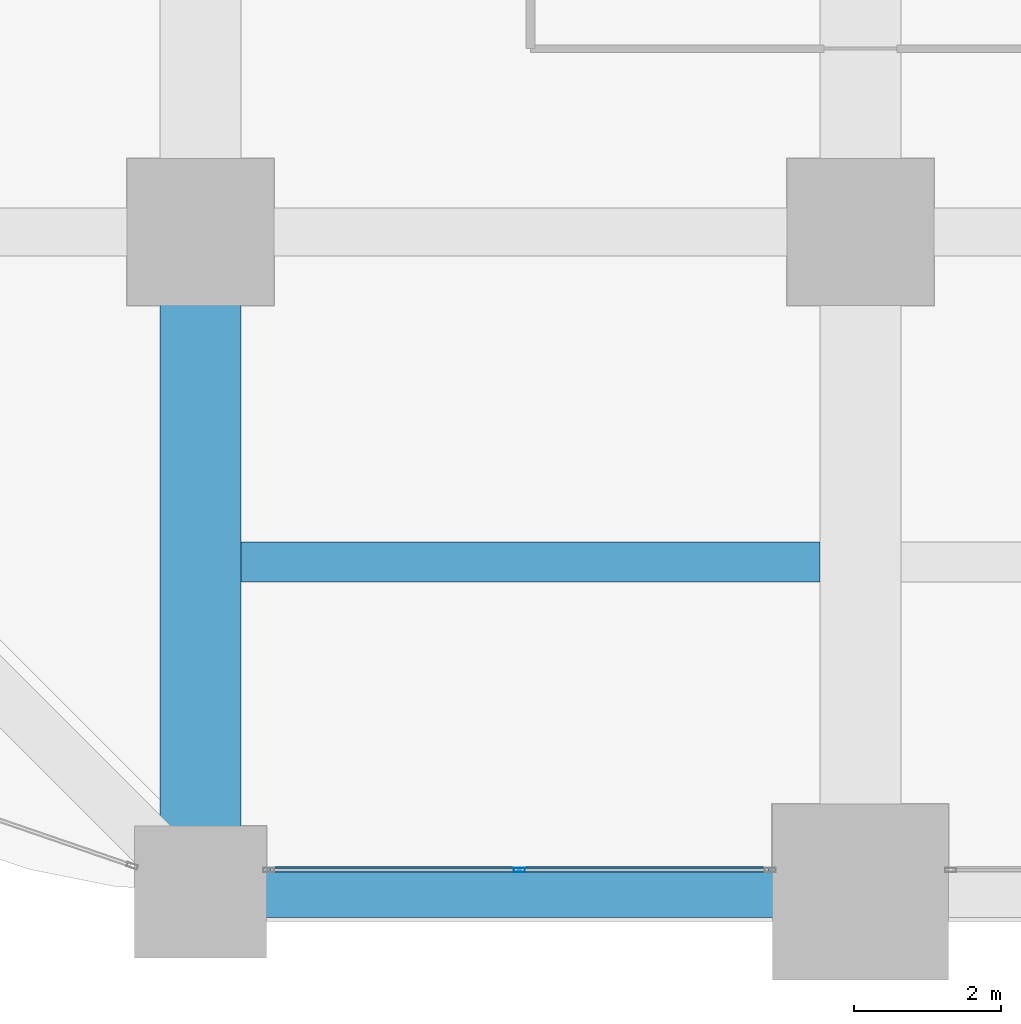
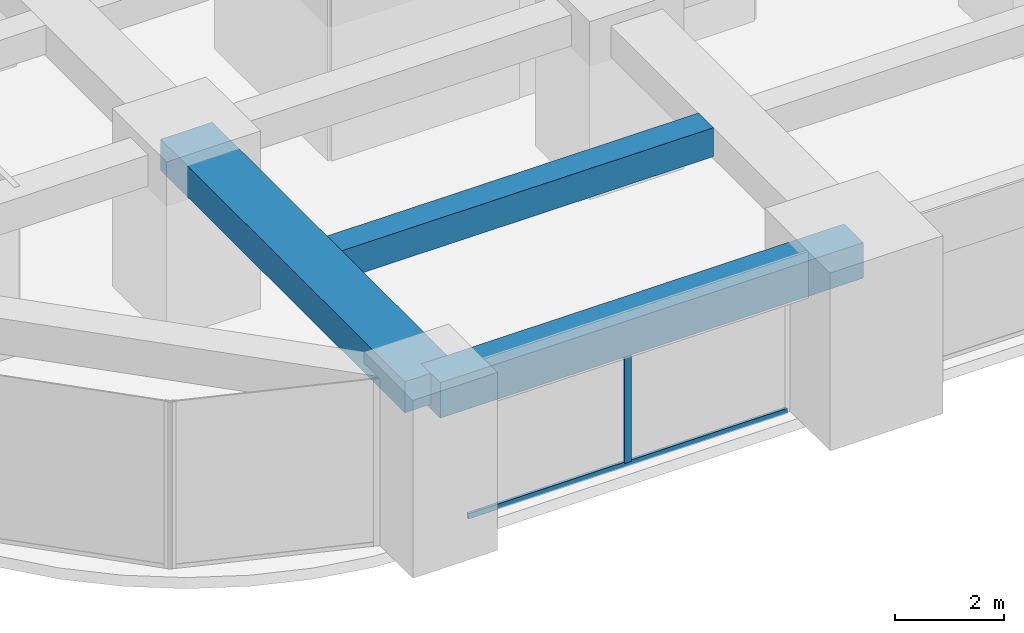
# One storey, part 3 of 41: 3 beams, 2 members, 1 element without a shape of its own.
"""IFC4 building model written with IfcOpenShell, lengths in metres."""

from ifc_helpers import new_model, si_unit, direction, frame, origin, origin_2d, place, context, subcontext, project, spatial, rectangle, hollow_rectangle, extrude, material, material_profile, profile_set, type_object, element, aggregate, save


model = new_model("IFC4")

# Units and contexts
model_context = context("Model", 3, precision=1e-05, world=origin(), true_north=direction((0.0, 1.0)))
body_context = subcontext(model_context, "Body", "Model", "MODEL_VIEW")
ifc_project = project(units=[si_unit("LENGTHUNIT", "METRE"), si_unit("AREAUNIT", "SQUARE_METRE"), si_unit("VOLUMEUNIT", "CUBIC_METRE"), si_unit("PLANEANGLEUNIT", "RADIAN"), si_unit("MASSUNIT", "GRAM", prefix="KILO")], contexts=[model_context])

# Site, building, storey
site_placement = place(None, origin())
site = spatial("IfcSite", under=ifc_project, at=site_placement, CompositionType="ELEMENT")
building_placement = place(site_placement, origin())
building = spatial("IfcBuilding", under=site, at=building_placement, Name="Zorevar Civic Tower", CompositionType="ELEMENT")
storey_placement = place(building_placement, frame((0.0, 0.0, 113.0)))
storey = spatial("IfcBuildingStorey", under=building, at=storey_placement, Name="L27", CompositionType="ELEMENT", Elevation=113.0)

# Beams
ifc_material_1 = material(Name="Concrete C50/60", Category="concrete")
ifc_material_profile_1 = material_profile(ifc_material_1, rectangle(XDim=1.10009765625, YDim=0.699951171875, at=origin_2d()), Name="RC 1100x700")
ifc_profile_set_1 = profile_set([ifc_material_profile_1], Name="Concrete C50/60")
beam_type_1 = type_object("IfcBeamType", Name="Beam RC 1100x700", PredefinedType="BEAM", material=ifc_profile_set_1)
beam_1_placement = place(storey_placement, frame((9.0, 0.0, 3.39990234375), z_axis=(0.0, 1.0, 0.0), x_axis=(-1.0, 0.0, 0.0)))
element("IfcBeam", 1, at=beam_1_placement, inside=storey, type_object=beam_type_1, Name="Girder L28", PredefinedType="BEAM", context=body_context, shape_type="SweptSolid", body=[
    extrude(rectangle(XDim=1.10009765625, YDim=0.699951171875, at=origin_2d()), origin(), (0.0, 0.0, 1.0), 9.0),
])
ifc_material_2 = material(Name="Concrete C50/60", Category="concrete")
ifc_material_profile_2 = material_profile(ifc_material_2, rectangle(XDim=0.550048828125, YDim=0.64990234375, at=origin_2d()), Name="RC 550x650")
ifc_profile_set_2 = profile_set([ifc_material_profile_2], Name="Concrete C50/60")
beam_type_2 = type_object("IfcBeamType", Name="Beam RC 550x650", PredefinedType="BEAM", material=ifc_profile_set_2)
beam_2_placement = place(storey_placement, frame((9.550048828125, 4.5, 3.425048828125), z_axis=(1.0, 0.0, 0.0), x_axis=(0.0, 1.0, 0.0)))
element("IfcBeam", 2, at=beam_2_placement, inside=storey, type_object=beam_type_2, Name="Secondary beam L28", PredefinedType="BEAM", context=body_context, shape_type="SweptSolid", body=[
    extrude(rectangle(XDim=0.550048828125, YDim=0.64990234375, at=origin_2d()), origin(), (0.0, 0.0, 1.0), 7.89990234375),
])

# Curtain wall, members
ifc_material_3 = material(Name="Dark grey solar-control glass in black aluminium frame", Category="aluminium")
curtain_wall_type = type_object("IfcCurtainWallType", Name="Curtain wall CW3 mid zone", PredefinedType="NOTDEFINED", material=ifc_material_3)
curtain_wall_placement = place(storey_placement, origin())
curtain_wall = element("IfcCurtainWall", 3, at=curtain_wall_placement, inside=storey, type_object=curtain_wall_type, Name="CW3 L27", PredefinedType="NOTDEFINED")
ifc_material_4 = material(Name="Aluminium, black anodised", Category="aluminium")
ifc_material_profile_3 = material_profile(ifc_material_4, hollow_rectangle(XDim=0.06005859375, YDim=0.14990234375, WallThickness=0.00390625, at=origin_2d()), Name="AL 150x60x4")
ifc_profile_set_3 = profile_set([ifc_material_profile_3], Name="Aluminium, black anodised")
member_type_1 = type_object("IfcMemberType", Name="CW3 mullion AL 150x60x4", PredefinedType="MULLION", material=ifc_profile_set_3)
member_1_placement = place(storey_placement, frame((13.35009765625, 0.300048828125, 0.06005859375), z_axis=(0.0, 0.0, 1.0), x_axis=(0.0, 1.0, 0.0)))
member_1 = element("IfcMember", 4, at=member_1_placement, type_object=member_type_1, Name="CW3 mullion 2", PredefinedType="MULLION", context=body_context, shape_type="SweptSolid", body=[
    extrude(hollow_rectangle(XDim=0.06005859375, YDim=0.14990234375, WallThickness=0.00390625, at=origin_2d()), origin(), (0.0, 0.0, 1.0), 2.889892578125),
])
ifc_material_5 = material(Name="Aluminium, black anodised", Category="aluminium")
ifc_material_profile_4 = material_profile(ifc_material_5, hollow_rectangle(XDim=0.06005859375, YDim=0.1201171875, WallThickness=0.0029296875, at=origin_2d()), Name="AL 120x60x3")
ifc_profile_set_4 = profile_set([ifc_material_profile_4], Name="Aluminium, black anodised")
member_type_2 = type_object("IfcMemberType", Name="CW3 transom AL 120x60x3", PredefinedType="USERDEFINED", material=ifc_profile_set_4)
member_2_placement = place(storey_placement, frame((9.9599609375, 0.300048828125, 0.030029296875), z_axis=(1.0, 0.0, 0.0), x_axis=(0.0, 1.0, 0.0)))
member_2 = element("IfcMember", 5, at=member_2_placement, type_object=member_type_2, Name="CW3 sill transom", ObjectType="TRANSOM", PredefinedType="USERDEFINED", context=body_context, shape_type="SweptSolid", body=[
    extrude(hollow_rectangle(XDim=0.06005859375, YDim=0.1201171875, WallThickness=0.0029296875, at=origin_2d()), origin(), (0.0, 0.0, 1.0), 6.780029296875),
])
aggregate(curtain_wall, [member_1, member_2])

# Beam
ifc_material_6 = material(Name="Concrete C50/60", Category="concrete")
ifc_material_profile_5 = material_profile(ifc_material_6, rectangle(XDim=0.699951171875, YDim=0.800048828125, at=origin_2d()), Name="RC 700x800")
ifc_profile_set_5 = profile_set([ifc_material_profile_5], Name="Concrete C50/60")
beam_type_3 = type_object("IfcBeamType", Name="Edge beam RC 700x800", PredefinedType="SPANDREL", material=ifc_profile_set_5)
beam_3_placement = place(storey_placement, frame((9.0, 0.0, 3.35009765625), z_axis=(1.0, 0.0, 0.0), x_axis=(0.0, 1.0, 0.0)))
element("IfcBeam", 6, at=beam_3_placement, inside=storey, type_object=beam_type_3, Name="Edge beam L28", PredefinedType="SPANDREL", context=body_context, shape_type="SweptSolid", body=[
    extrude(rectangle(XDim=0.699951171875, YDim=0.800048828125, at=origin_2d()), origin(), (0.0, 0.0, 1.0), 9.0),
])

save(model, "model.ifc")
